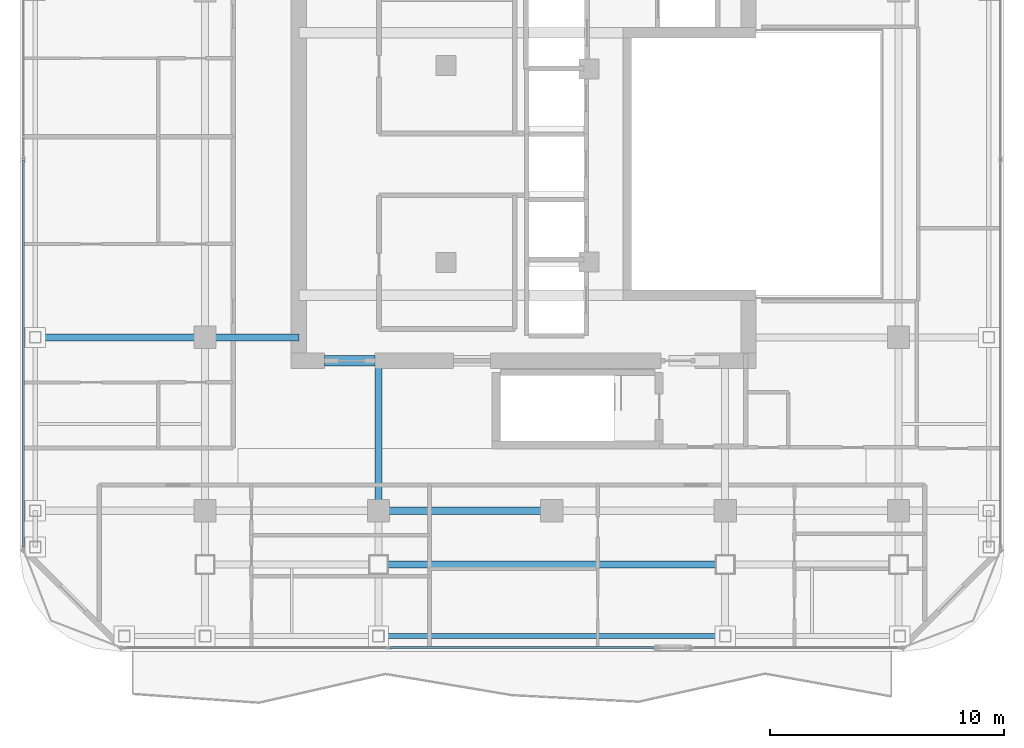
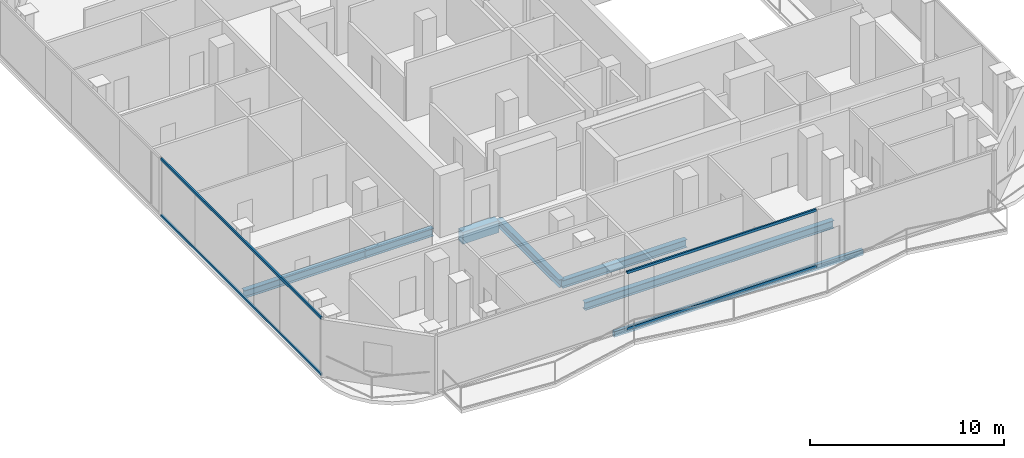
# One storey, part 3 of 22: 7 beams, 4 members, 2 elements without a shape of their own.
"""IFC4 building model written with IfcOpenShell, lengths in metres."""

import ifcopenshell
import ifcopenshell.guid

model = None  # the IFC model being written
_history = None  # IfcOwnerHistory: only IFC2X3 demands one
_inside = {}  # id of a spatial element -> (the spatial element, [elements in it])
_under = {}  # id of a project, library or spatial element -> (it, [spatial elements below it])
_declared = {}  # id of a project -> (the project, [libraries it declares])
_typed = {}  # id of a type object -> (the type object, [elements of that type])
_made_of = {}  # id of a material, layer set ... -> (it, [elements and type objects made of it])


def new_model(schema):
    """Start an empty IFC model of exactly this schema.

    Asked for "IFC4X3", IfcOpenShell would pick the latest addendum, in which some entities
    have other attributes; the version numbers below select the first issue.
    IFC2X3 requires an IfcOwnerHistory on every rooted entity: one is made here for all.
    """
    global model, _history
    if schema == "IFC4X3":
        model = ifcopenshell.file(schema_version=(4, 3, 0, 0))
    else:
        model = ifcopenshell.file(schema=schema)
    _inside.clear()
    _under.clear()
    _declared.clear()
    _typed.clear()
    _made_of.clear()
    _history = None
    if model.schema == "IFC2X3":
        org = make("IfcOrganization", Name="unknown")
        user = make(
            "IfcPersonAndOrganization",
            ThePerson=make("IfcPerson", FamilyName="unknown"),
            TheOrganization=org,
        )
        app = make(
            "IfcApplication",
            ApplicationDeveloper=org,
            Version="unknown",
            ApplicationFullName="unknown",
            ApplicationIdentifier="unknown",
        )
        _history = make(
            "IfcOwnerHistory",
            OwningUser=user,
            OwningApplication=app,
            ChangeAction="ADDED",
            CreationDate=0,
        )
    return model


def make(cls, **values):
    """One entity of the class cls with the attributes given. An attribute that is None is left unset."""
    return model.create_entity(
        cls, **{name: value for name, value in values.items() if value is not None}
    )


def rooted(cls, **values):
    """An entity with a GlobalId (a new one), such as an element, a storey or a relation."""
    return make(cls, GlobalId=ifcopenshell.guid.new(), OwnerHistory=_history, **values)


def si_unit(unit_type, name, prefix=None):
    """IfcSIUnit, for example si_unit("LENGTHUNIT", "METRE", prefix="MILLI")."""
    return make("IfcSIUnit", UnitType=unit_type, Prefix=prefix, Name=name)


def assignment(units):
    """IfcUnitAssignment: the units of a project."""
    return None if units is None else make("IfcUnitAssignment", Units=units)


def point(xyz):
    """IfcCartesianPoint."""
    return None if xyz is None else make("IfcCartesianPoint", Coordinates=xyz)


def direction(xyz):
    """IfcDirection."""
    return None if xyz is None else make("IfcDirection", DirectionRatios=xyz)


def frame(location, z_axis=None, x_axis=None):
    """IfcAxis2Placement3D, a coordinate frame: its origin and axes. An axis left out is left unset."""
    return make(
        "IfcAxis2Placement3D",
        Location=point(location),
        Axis=direction(z_axis),
        RefDirection=direction(x_axis),
    )


def frame_2d(location, x_axis=None):
    """IfcAxis2Placement2D, a coordinate frame in the plane: its origin and x axis."""
    return make(
        "IfcAxis2Placement2D", Location=point(location), RefDirection=direction(x_axis)
    )


def origin():
    """The frame at (0, 0, 0) with its axes left unset."""
    return frame((0.0, 0.0, 0.0))


def origin_2d():
    """The frame at (0, 0) in the plane with its x axis left unset."""
    return frame_2d((0.0, 0.0))


def place(relative_to, where):
    """IfcLocalPlacement: puts the frame where relative to a parent placement (None: the world)."""
    return make(
        "IfcLocalPlacement", PlacementRelTo=relative_to, RelativePlacement=where
    )


def context(
    kind, dimensions, precision=None, world=None, true_north=None, identifier=None
):
    """IfcGeometricRepresentationContext, for example the 3D "Model" context."""
    return make(
        "IfcGeometricRepresentationContext",
        ContextIdentifier=identifier,
        ContextType=kind,
        CoordinateSpaceDimension=dimensions,
        Precision=precision,
        WorldCoordinateSystem=world,
        TrueNorth=true_north,
    )


def subcontext(parent, identifier, kind, view, scale=None):
    """IfcGeometricRepresentationSubContext, for example "Body" below "Model"."""
    return make(
        "IfcGeometricRepresentationSubContext",
        ContextIdentifier=identifier,
        ContextType=kind,
        ParentContext=parent,
        TargetScale=scale,
        TargetView=view,
    )


def project(units=None, contexts=None):
    """IfcProject with its units and contexts."""
    return rooted(
        "IfcProject",
        Name="project",
        RepresentationContexts=contexts,
        UnitsInContext=assignment(units),
    )


def spatial(cls, under=None, at=None, **own):
    """A site, building, storey or space (cls), placed at a placement, below another one or the project."""
    s = rooted(cls, ObjectPlacement=at, **own)
    if under is not None:
        _under.setdefault(under.id(), (under, []))[1].append(s)
    return s


def profile(cls, at=None, kind="AREA", **sizes):
    """A parametric profile (cls). Its sizes go by their IFC names, for example OverallWidth=200.0."""
    return make(cls, ProfileType=kind, Position=at, **sizes)


def rectangle(**sizes):
    """IfcRectangleProfileDef."""
    return profile("IfcRectangleProfileDef", **sizes)


def hollow_rectangle(**sizes):
    """IfcRectangleHollowProfileDef."""
    return profile("IfcRectangleHollowProfileDef", **sizes)


def i_section(**sizes):
    """IfcIShapeProfileDef."""
    return profile("IfcIShapeProfileDef", **sizes)


def extrude(swept, where, along, depth):
    """IfcExtrudedAreaSolid: the profile swept, set in the frame where, extruded along a direction by depth."""
    return make(
        "IfcExtrudedAreaSolid",
        SweptArea=swept,
        Position=where,
        ExtrudedDirection=direction(along),
        Depth=depth,
    )


def shape(context_of_items, identifier, shape_type, items):
    """IfcShapeRepresentation: the items that make up one representation, for example the "Body"."""
    return make(
        "IfcShapeRepresentation",
        ContextOfItems=context_of_items,
        RepresentationIdentifier=identifier,
        RepresentationType=shape_type,
        Items=items,
    )


def material(Name=None, Category=None):
    """IfcMaterial."""
    return make("IfcMaterial", Name=Name, Category=Category)


def layer(
    of_material, thickness, ventilated=None, Name=None, Category=None, Priority=None
):
    """IfcMaterialLayer: one layer of a wall or slab, of a material (None: an air gap)."""
    return make(
        "IfcMaterialLayer",
        Material=of_material,
        LayerThickness=thickness,
        IsVentilated=ventilated,
        Name=Name,
        Category=Category,
        Priority=Priority,
    )


def layer_set(layers, Name=None):
    """IfcMaterialLayerSet."""
    return make("IfcMaterialLayerSet", MaterialLayers=layers, LayerSetName=Name)


def material_profile(
    of_material, cross_section, Name=None, Category=None, Priority=None
):
    """IfcMaterialProfile: a cross section and its material."""
    return make(
        "IfcMaterialProfile",
        Name=Name,
        Material=of_material,
        Profile=cross_section,
        Priority=Priority,
        Category=Category,
    )


def profile_set(profiles, Name=None, composite=None):
    """IfcMaterialProfileSet."""
    return make(
        "IfcMaterialProfileSet",
        Name=Name,
        MaterialProfiles=profiles,
        CompositeProfile=composite,
    )


def made_of(thing, what):
    """Note that an element or type object is made of a material, layer set ...; save() writes the relation."""
    if what is not None:
        _made_of.setdefault(what.id(), (what, []))[1].append(thing)
    return thing


def type_object(cls, material=None, **own):
    """A type object (cls), such as IfcWallType, which elements share."""
    return made_of(rooted(cls, **own), material)


def element(
    cls,
    number,
    at=None,
    inside=None,
    cuts=None,
    type_object=None,
    material=None,
    context=None,
    identifier="Body",
    shape_type=None,
    held_by="IfcProductDefinitionShape",
    body=None,
    shapes=None,
    **own,
):
    """One element of the class cls, such as IfcWall. Its Tag is "e" and its number.

    at: its placement. inside: the storey or other place that contains it. cuts: it is an
    opening in that element (IfcRelVoidsElement). A single representation is given by context,
    identifier, shape_type and body (its items); several are given by shapes. held_by: the class
    of the entity that holds the representations. save() writes the other relations.
    """
    e = rooted(cls, Tag="e%d" % number, ObjectPlacement=at, **own)
    if body is not None:
        shapes = [shape(context, identifier, shape_type, body)]
    if shapes is not None:
        e.Representation = make(held_by, Representations=shapes)
    if inside is not None:
        _inside.setdefault(inside.id(), (inside, []))[1].append(e)
    if cuts is not None:
        rooted(
            "IfcRelVoidsElement", RelatingBuildingElement=cuts, RelatedOpeningElement=e
        )
    if type_object is not None:
        _typed.setdefault(type_object.id(), (type_object, []))[1].append(e)
    return made_of(e, material)


def aggregate(whole, parts):
    """IfcRelAggregates: a whole, such as a stair, and the parts it consists of."""
    return rooted("IfcRelAggregates", RelatingObject=whole, RelatedObjects=parts)


def save(model, path):
    """Write the relations noted so far, then the file.

    IfcRelAggregates (storeys below a building ...), IfcRelContainedInSpatialStructure (elements
    in a storey), IfcRelDefinesByType, IfcRelAssociatesMaterial and IfcRelDeclares: one each for
    every whole, place, type object, material and project.
    """
    for whole, parts in _under.values():
        aggregate(whole, parts)
    for where, things in _inside.values():
        rooted(
            "IfcRelContainedInSpatialStructure",
            RelatedElements=things,
            RelatingStructure=where,
        )
    for kind, things in _typed.values():
        rooted("IfcRelDefinesByType", RelatedObjects=things, RelatingType=kind)
    for what, things in _made_of.values():
        rooted("IfcRelAssociatesMaterial", RelatedObjects=things, RelatingMaterial=what)
    for by, libraries in _declared.values():
        rooted("IfcRelDeclares", RelatingContext=by, RelatedDefinitions=libraries)
    model.write(path)


model = new_model("IFC4")

# Units and contexts
model_context = context("Model", 3, precision=1e-05, world=origin(), true_north=direction((0.0, 1.0)))
body_context = subcontext(model_context, "Body", "Model", "MODEL_VIEW")
ifc_project = project(units=[si_unit("LENGTHUNIT", "METRE"), si_unit("AREAUNIT", "SQUARE_METRE"), si_unit("VOLUMEUNIT", "CUBIC_METRE"), si_unit("PLANEANGLEUNIT", "RADIAN"), si_unit("MASSUNIT", "GRAM", prefix="KILO")], contexts=[model_context])

# Site, building, storey
site_placement = place(None, origin())
site = spatial("IfcSite", under=ifc_project, at=site_placement, CompositionType="ELEMENT")
building_placement = place(site_placement, origin())
building = spatial("IfcBuilding", under=site, at=building_placement, Name="Khorvyn Point Tower", CompositionType="ELEMENT")
storey_placement = place(building_placement, frame((0.0, 0.0, 309.300048828125)))
storey = spatial("IfcBuildingStorey", under=building, at=storey_placement, Name="L76", CompositionType="ELEMENT", Elevation=309.300048828125)

# Curtain wall, members
ifc_material_1 = material(Name="Anodised aluminium 6063-T6 and laminated Low-E glass", Category="aluminium")
ifc_layer = layer(ifc_material_1, 0.18994140625)
ifc_layer_set = layer_set([ifc_layer], Name="Stick-Built High-Wind Curtain Wall CW-SYS-04")
curtain_wall_type = type_object("IfcCurtainWallType", Name="Stick-Built High-Wind Curtain Wall CW-SYS-04", PredefinedType="NOTDEFINED", material=ifc_layer_set)
curtain_wall_1_placement = place(storey_placement, origin())
curtain_wall_1 = element("IfcCurtainWall", 1, at=curtain_wall_1_placement, inside=storey, type_object=curtain_wall_type, Name="Curtain Wall", PredefinedType="NOTDEFINED")
ifc_material_2 = material(Name="Anodised aluminium 6063-T6", Category="aluminium")
ifc_material_profile_1 = material_profile(ifc_material_2, hollow_rectangle(XDim=0.10009765625, YDim=0.159912109375, WallThickness=0.00439453125, at=origin_2d()))
ifc_profile_set_1 = profile_set([ifc_material_profile_1], Name="Anodised aluminium 6063-T6 ALU-TRN-100x160")
member_type = type_object("IfcMemberType", Name="Anodised Aluminium 6063-T6 Transom ALU-TRN-100x160", PredefinedType="USERDEFINED", material=ifc_profile_set_1)
member_1_placement = place(storey_placement, frame((4.343017578125, -20.64990234375, 0.050048828125), z_axis=(-1.0, 0.0, 0.0), x_axis=(0.0, -1.0, 0.0)))
member_1 = element("IfcMember", 2, at=member_1_placement, type_object=member_type, Name="Transom", ObjectType="TRANSOM", PredefinedType="USERDEFINED", context=body_context, shape_type="SweptSolid", body=[
    extrude(hollow_rectangle(XDim=0.10009765625, YDim=0.159912109375, WallThickness=0.00439453125, at=origin_2d()), origin(), (0.0, 0.0, 1.0), 11.24658203125),
])
member_2_placement = place(storey_placement, frame((4.343017578125, -20.64990234375, 3.58984375), z_axis=(-1.0, 0.0, 0.0), x_axis=(0.0, -1.0, 0.0)))
member_2 = element("IfcMember", 3, at=member_2_placement, type_object=member_type, Name="Transom", ObjectType="TRANSOM", PredefinedType="USERDEFINED", context=body_context, shape_type="SweptSolid", body=[
    extrude(hollow_rectangle(XDim=0.10009765625, YDim=0.159912109375, WallThickness=0.00439453125, at=origin_2d()), origin(), (0.0, 0.0, 1.0), 11.24658203125),
])
aggregate(curtain_wall_1, [member_1, member_2])

curtain_wall_2_placement = place(storey_placement, origin())
curtain_wall_2 = element("IfcCurtainWall", 4, at=curtain_wall_2_placement, inside=storey, type_object=curtain_wall_type, Name="Curtain Wall", PredefinedType="NOTDEFINED")
member_3_placement = place(storey_placement, frame((-22.550048828125, -16.35009765625, 0.050048828125), z_axis=(0.0, 1.0, 0.0), x_axis=(-1.0, 0.0, 0.0)))
member_3 = element("IfcMember", 5, at=member_3_placement, type_object=member_type, Name="Transom", ObjectType="TRANSOM", PredefinedType="USERDEFINED", context=body_context, shape_type="SweptSolid", body=[
    extrude(hollow_rectangle(XDim=0.10009765625, YDim=0.159912109375, WallThickness=0.00439453125, at=origin_2d()), origin(), (0.0, 0.0, 1.0), 16.5),
])
member_4_placement = place(storey_placement, frame((-22.550048828125, -16.35009765625, 3.58984375), z_axis=(0.0, 1.0, 0.0), x_axis=(-1.0, 0.0, 0.0)))
member_4 = element("IfcMember", 6, at=member_4_placement, type_object=member_type, Name="Transom", ObjectType="TRANSOM", PredefinedType="USERDEFINED", context=body_context, shape_type="SweptSolid", body=[
    extrude(hollow_rectangle(XDim=0.10009765625, YDim=0.159912109375, WallThickness=0.00439453125, at=origin_2d()), origin(), (0.0, 0.0, 1.0), 16.5),
])
aggregate(curtain_wall_2, [member_3, member_4])

# Beams
ifc_material_3 = material(Name="Concrete C40/50", Category="concrete")
ifc_material_profile_2 = material_profile(ifc_material_3, rectangle(XDim=0.449951171875, YDim=0.75, at=origin_2d()))
ifc_profile_set_2 = profile_set([ifc_material_profile_2], Name="Concrete C40/50 RC450x750")
beam_type_1 = type_object("IfcBeamType", Name="Concrete C40/50 Beam RC450x750", PredefinedType="BEAM", material=ifc_profile_set_2)
beam_1_placement = place(storey_placement, frame((-9.699951171875, -8.39990234375, -0.594970703125), z_axis=(1.0, 0.0, 0.0), x_axis=(0.0, 1.0, 0.0)))
element("IfcBeam", 7, at=beam_1_placement, inside=storey, type_object=beam_type_1, Name="L76 Core Southwest Portal Coupling Beam", PredefinedType="BEAM", context=body_context, shape_type="SweptSolid", body=[
    extrude(rectangle(XDim=0.449951171875, YDim=0.75, at=origin_2d()), origin(), (0.0, 0.0, 1.0), 2.14990234375),
])
ifc_material_4 = material(Name="Steel S355", Category="steel")
ifc_material_profile_3 = material_profile(ifc_material_4, i_section(OverallWidth=0.300048828125, OverallDepth=0.488037109375, WebThickness=0.010986328125, FlangeThickness=0.01806640625, at=origin_2d()))
ifc_profile_set_3 = profile_set([ifc_material_profile_3], Name="Steel S355 H488x300x11x18")
beam_type_2 = type_object("IfcBeamType", Name="Steel S355 Spandrel H488x300x11x18", PredefinedType="SPANDREL", material=ifc_profile_set_3)
beam_2_placement = place(storey_placement, frame((-7.39990234375, -14.800048828125, -0.464111328125), z_axis=(1.0, 0.0, 0.0), x_axis=(0.0, 1.0, 0.0)))
element("IfcBeam", 8, at=beam_2_placement, inside=storey, type_object=beam_type_2, Name="Beam", PredefinedType="SPANDREL", context=body_context, shape_type="SweptSolid", body=[
    extrude(i_section(OverallWidth=0.300048828125, OverallDepth=0.488037109375, WebThickness=0.010986328125, FlangeThickness=0.01806640625, at=origin_2d()), origin(), (0.0, 0.0, 1.0), 7.39990234375),
])
beam_3_placement = place(storey_placement, frame((-22.050048828125, -7.39990234375, -0.464111328125), z_axis=(1.0, 0.0, 0.0), x_axis=(0.0, 1.0, 0.0)))
element("IfcBeam", 9, at=beam_3_placement, inside=storey, type_object=beam_type_2, Name="Beam", PredefinedType="SPANDREL", context=body_context, shape_type="SweptSolid", body=[
    extrude(i_section(OverallWidth=0.300048828125, OverallDepth=0.488037109375, WebThickness=0.010986328125, FlangeThickness=0.01806640625, at=origin_2d()), origin(), (0.0, 0.0, 1.0), 7.25),
])
beam_4_placement = place(storey_placement, frame((-14.800048828125, -7.39990234375, -0.464111328125), z_axis=(1.0, 0.0, 0.0), x_axis=(0.0, 1.0, 0.0)))
element("IfcBeam", 10, at=beam_4_placement, inside=storey, type_object=beam_type_2, Name="Beam", PredefinedType="SPANDREL", context=body_context, shape_type="SweptSolid", body=[
    extrude(i_section(OverallWidth=0.300048828125, OverallDepth=0.488037109375, WebThickness=0.010986328125, FlangeThickness=0.01806640625, at=origin_2d()), origin(), (0.0, 0.0, 1.0), 4.0),
])
beam_5_placement = place(storey_placement, frame((-7.39990234375, -17.10009765625, -0.464111328125), z_axis=(1.0, 0.0, 0.0), x_axis=(0.0, 1.0, 0.0)))
element("IfcBeam", 11, at=beam_5_placement, inside=storey, type_object=beam_type_2, Name="Beam", PredefinedType="SPANDREL", context=body_context, shape_type="SweptSolid", body=[
    extrude(i_section(OverallWidth=0.300048828125, OverallDepth=0.488037109375, WebThickness=0.010986328125, FlangeThickness=0.01806640625, at=origin_2d()), origin(), (0.0, 0.0, 1.0), 14.7998046875),
])
beam_6_placement = place(storey_placement, frame((-7.39990234375, -14.800048828125, -0.464111328125), z_axis=(0.0, 1.0, 0.0), x_axis=(-1.0, 0.0, 0.0)))
element("IfcBeam", 12, at=beam_6_placement, inside=storey, type_object=beam_type_2, Name="Beam", PredefinedType="SPANDREL", context=body_context, shape_type="SweptSolid", body=[
    extrude(i_section(OverallWidth=0.300048828125, OverallDepth=0.488037109375, WebThickness=0.010986328125, FlangeThickness=0.01806640625, at=origin_2d()), origin(), (0.0, 0.0, 1.0), 6.400146484375),
])
ifc_material_profile_4 = material_profile(ifc_material_4, hollow_rectangle(XDim=0.199951171875, YDim=0.35009765625, WallThickness=0.013916015625, at=origin_2d()))
ifc_profile_set_4 = profile_set([ifc_material_profile_4], Name="Steel S355 RHS350x200x14")
beam_type_3 = type_object("IfcBeamType", Name="Steel S355 Spandrel RHS350x200x14", PredefinedType="SPANDREL", material=ifc_profile_set_4)
beam_7_placement = place(storey_placement, frame((-7.39990234375, -20.14990234375, -0.39501953125), z_axis=(1.0, 0.0, 0.0), x_axis=(0.0, 1.0, 0.0)))
element("IfcBeam", 13, at=beam_7_placement, inside=storey, type_object=beam_type_3, Name="Beam", PredefinedType="SPANDREL", context=body_context, shape_type="SweptSolid", body=[
    extrude(hollow_rectangle(XDim=0.199951171875, YDim=0.35009765625, WallThickness=0.013916015625, at=origin_2d()), origin(), (0.0, 0.0, 1.0), 14.7998046875),
])

save(model, "model.ifc")
